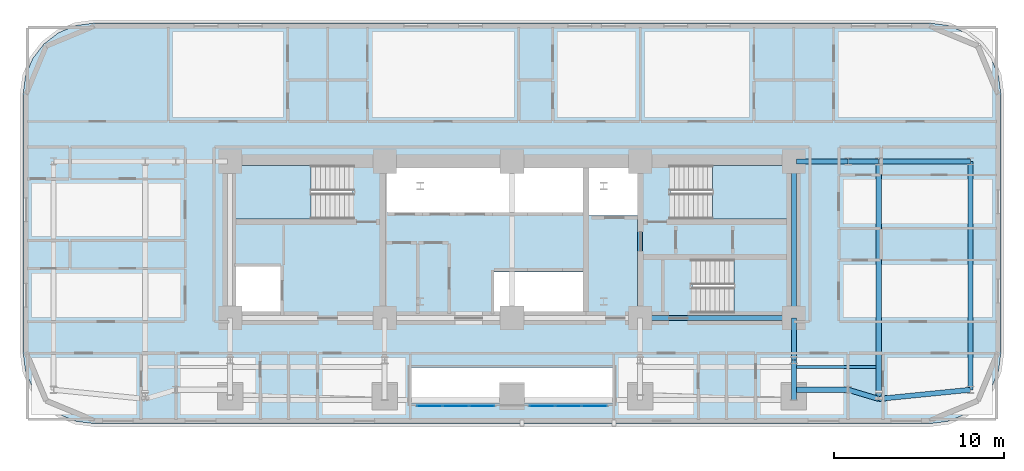
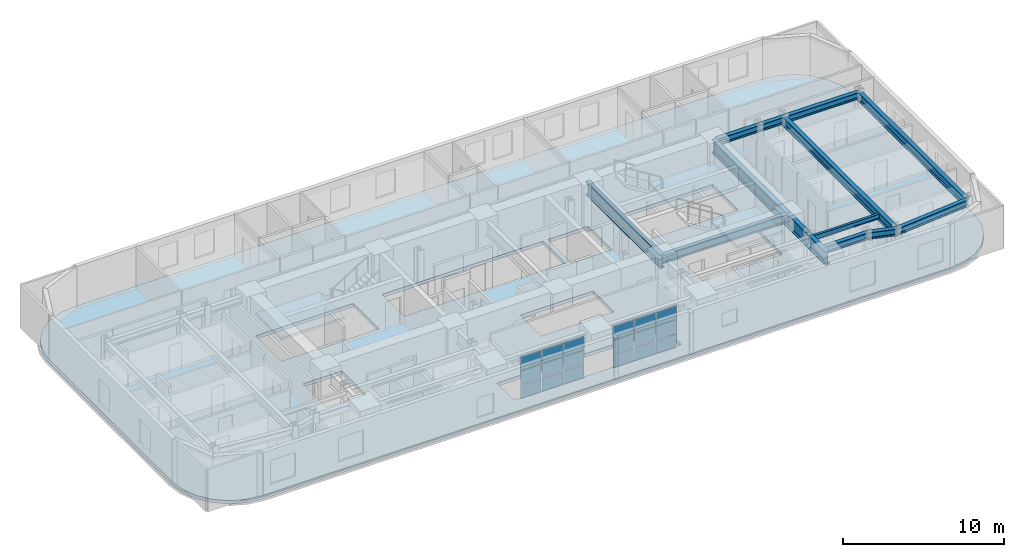
# One storey, part 5 of 16: 18 plates, 14 beams, 4 slabs, 5 elements without a shape of their own.
"""IFC4 building model written with IfcOpenShell, lengths in metres."""

from ifc_helpers import new_model, si_unit, direction, frame, origin, origin_2d, place, context, subcontext, project, spatial, polyline, rectangle, i_section, outline, extrude, material, layer, layer_set, material_profile, profile_set, type_object, element, aggregate, save


model = new_model("IFC4")

# Units and contexts
model_context = context("Model", 3, precision=1e-05, world=origin(), true_north=direction((0.0, 1.0)))
body_context = subcontext(model_context, "Body", "Model", "MODEL_VIEW")
ifc_project = project(units=[si_unit("LENGTHUNIT", "METRE"), si_unit("AREAUNIT", "SQUARE_METRE"), si_unit("VOLUMEUNIT", "CUBIC_METRE"), si_unit("PLANEANGLEUNIT", "RADIAN"), si_unit("MASSUNIT", "GRAM", prefix="KILO")], contexts=[model_context])

# Site, building, storey
site_placement = place(None, origin())
site = spatial("IfcSite", under=ifc_project, at=site_placement, CompositionType="ELEMENT")
building_placement = place(site_placement, origin())
building = spatial("IfcBuilding", under=site, at=building_placement, Name="Zarnavel Station Tower", CompositionType="ELEMENT")
storey_placement = place(building_placement, frame((0.0, 0.0, 32.5)))
storey = spatial("IfcBuildingStorey", under=building, at=storey_placement, Name="L08", CompositionType="ELEMENT", Elevation=32.5)

# Beams
ifc_material_1 = material(Name="Steel S355J2", Category="steel")
ifc_material_profile_1 = material_profile(ifc_material_1, i_section(OverallWidth=0.300048828125, OverallDepth=0.5, WebThickness=0.014404296875, FlangeThickness=0.028076171875, FilletRadius=0.027099609375, at=origin_2d()), Name="HEB500")
ifc_profile_set_1 = profile_set([ifc_material_profile_1], Name="Steel S355J2")
beam_type_1 = type_object("IfcBeamType", Name="FG_HEB500", PredefinedType="USERDEFINED", material=ifc_profile_set_1)
for number, where, z_axis, x_axis, name in (
    (1, (45.544921875, 23.60009765625, 2.989990234375), (1.0, 0.0, 0.0), (0.0, 1.0, 0.0), "L08 East Wing South Tie 1"),
    (2, (45.544921875, 37.050048828125, 2.989990234375), (1.0, 0.0, 0.0), (0.0, 1.0, 0.0), "L08 East Wing North Tie 1"),
):
    element("IfcBeam", number, at=place(storey_placement, frame(where, z_axis=z_axis, x_axis=x_axis)), inside=storey, type_object=beam_type_1, Name=name, ObjectType="GIRDER", PredefinedType="USERDEFINED", context=body_context, shape_type="SweptSolid", body=[
        extrude(i_section(OverallWidth=0.300048828125, OverallDepth=0.5, WebThickness=0.014404296875, FlangeThickness=0.028076171875, FilletRadius=0.027099609375, at=origin_2d()), origin(), (0.0, 0.0, 1.0), 3.05517578125),
    ])
beam_1_placement = place(storey_placement, frame((48.60009765625, 23.60009765625, 2.989990234375), z_axis=(0.957776209456, -0.28751475197, 0.0), x_axis=(0.28751475197, 0.957776209456, 0.0)))
element("IfcBeam", 3, at=beam_1_placement, inside=storey, type_object=beam_type_1, Name="L08 East Wing South Tie 2", ObjectType="GIRDER", PredefinedType="USERDEFINED", context=body_context, shape_type="SweptSolid", body=[
    extrude(i_section(OverallWidth=0.300048828125, OverallDepth=0.5, WebThickness=0.014404296875, FlangeThickness=0.028076171875, FilletRadius=0.027099609375, at=origin_2d()), origin(), (0.0, 0.0, 1.0), 1.879150390625),
])
beam_2_placement = place(storey_placement, frame((48.60009765625, 37.050048828125, 2.989990234375), z_axis=(1.0, 0.0, 0.0), x_axis=(0.0, 1.0, 0.0)))
element("IfcBeam", 4, at=beam_2_placement, inside=storey, type_object=beam_type_1, Name="L08 East Wing North Tie 2", ObjectType="GIRDER", PredefinedType="USERDEFINED", context=body_context, shape_type="SweptSolid", body=[
    extrude(i_section(OverallWidth=0.300048828125, OverallDepth=0.5, WebThickness=0.014404296875, FlangeThickness=0.028076171875, FilletRadius=0.027099609375, at=origin_2d()), origin(), (0.0, 0.0, 1.0), 1.7998046875),
])
beam_3_placement = place(storey_placement, frame((50.39990234375, 23.059814453125, 2.989990234375), z_axis=(0.995032289603, 0.099552712912, 0.0), x_axis=(-0.099552712912, 0.995032289603, 0.0)))
element("IfcBeam", 5, at=beam_3_placement, inside=storey, type_object=beam_type_1, Name="L08 East Wing South Tie 3", ObjectType="GIRDER", PredefinedType="USERDEFINED", context=body_context, shape_type="SweptSolid", body=[
    extrude(i_section(OverallWidth=0.300048828125, OverallDepth=0.5, WebThickness=0.014404296875, FlangeThickness=0.028076171875, FilletRadius=0.027099609375, at=origin_2d()), origin(), (0.0, 0.0, 1.0), 5.427001953125),
])
beam_4_placement = place(storey_placement, frame((50.39990234375, 37.050048828125, 2.989990234375), z_axis=(1.0, 0.0, 0.0), x_axis=(0.0, 1.0, 0.0)))
element("IfcBeam", 6, at=beam_4_placement, inside=storey, type_object=beam_type_1, Name="L08 East Wing North Tie 3", ObjectType="GIRDER", PredefinedType="USERDEFINED", context=body_context, shape_type="SweptSolid", body=[
    extrude(i_section(OverallWidth=0.300048828125, OverallDepth=0.5, WebThickness=0.014404296875, FlangeThickness=0.028076171875, FilletRadius=0.027099609375, at=origin_2d()), origin(), (0.0, 0.0, 1.0), 5.400146484375),
])
ifc_material_2 = material(Name="Steel S355J2", Category="steel")
ifc_material_profile_2 = material_profile(ifc_material_2, i_section(OverallWidth=0.300048828125, OverallDepth=0.60009765625, WebThickness=0.015380859375, FlangeThickness=0.030029296875, FilletRadius=0.027099609375, at=origin_2d()), Name="HEB600")
ifc_profile_set_2 = profile_set([ifc_material_profile_2], Name="Steel S355J2")
beam_type_2 = type_object("IfcBeamType", Name="FG_HEB600", PredefinedType="USERDEFINED", material=ifc_profile_set_2)
beam_5_placement = place(storey_placement, frame((36.35009765625, 27.820068359375, 2.93994140625), z_axis=(1.0, 0.0, 0.0), x_axis=(0.0, 1.0, 0.0)))
element("IfcBeam", 7, at=beam_5_placement, inside=storey, type_object=beam_type_2, Name="L08 Core Front Coupling Beam 4", ObjectType="GIRDER", PredefinedType="USERDEFINED", context=body_context, shape_type="SweptSolid", body=[
    extrude(i_section(OverallWidth=0.300048828125, OverallDepth=0.60009765625, WebThickness=0.015380859375, FlangeThickness=0.030029296875, FilletRadius=0.027099609375, at=origin_2d()), origin(), (0.0, 0.0, 1.0), 9.0498046875),
])
ifc_material_3 = material(Name="Steel S355J2", Category="steel")
ifc_material_profile_3 = material_profile(ifc_material_3, i_section(OverallWidth=0.300048828125, OverallDepth=0.64990234375, WebThickness=0.01611328125, FlangeThickness=0.031005859375, FilletRadius=0.027099609375, at=origin_2d()), Name="HEB650")
ifc_profile_set_3 = profile_set([ifc_material_profile_3], Name="Steel S355J2")
beam_type_3 = type_object("IfcBeamType", Name="FG_HEB650", PredefinedType="USERDEFINED", material=ifc_profile_set_3)
beam_6_placement = place(storey_placement, frame((50.39990234375, 23.059814453125, 2.9150390625), z_axis=(0.0, 1.0, 0.0), x_axis=(-1.0, 0.0, 0.0)))
element("IfcBeam", 8, at=beam_6_placement, inside=storey, type_object=beam_type_3, Name="L08 Wing NS Girder 3", ObjectType="GIRDER", PredefinedType="USERDEFINED", context=body_context, shape_type="SweptSolid", body=[
    extrude(i_section(OverallWidth=0.300048828125, OverallDepth=0.64990234375, WebThickness=0.01611328125, FlangeThickness=0.031005859375, FilletRadius=0.027099609375, at=origin_2d()), origin(), (0.0, 0.0, 1.0), 13.990234375),
])
beam_7_placement = place(storey_placement, frame((55.800048828125, 23.60009765625, 2.9150390625), z_axis=(0.0, 1.0, 0.0), x_axis=(-1.0, 0.0, 0.0)))
element("IfcBeam", 9, at=beam_7_placement, inside=storey, type_object=beam_type_3, Name="L08 Wing NS Girder 4", ObjectType="GIRDER", PredefinedType="USERDEFINED", context=body_context, shape_type="SweptSolid", body=[
    extrude(i_section(OverallWidth=0.300048828125, OverallDepth=0.64990234375, WebThickness=0.01611328125, FlangeThickness=0.031005859375, FilletRadius=0.027099609375, at=origin_2d()), origin(), (0.0, 0.0, 1.0), 13.449951171875),
])
ifc_material_4 = material(Name="Steel S355J2", Category="steel")
ifc_material_profile_4 = material_profile(ifc_material_4, i_section(OverallWidth=0.169921875, OverallDepth=0.360107421875, WebThickness=0.008056640625, FlangeThickness=0.0126953125, FilletRadius=0.01806640625, at=origin_2d()), Name="IPE360")
ifc_profile_set_4 = profile_set([ifc_material_profile_4], Name="Steel S355J2")
beam_type_4 = type_object("IfcBeamType", Name="FJ_IPE360", PredefinedType="JOIST", material=ifc_profile_set_4)
beam_8_placement = place(storey_placement, frame((45.544921875, 24.9462890625, 3.06005859375), z_axis=(1.0, 0.0, 0.0), x_axis=(0.0, 1.0, 0.0)))
element("IfcBeam", 10, at=beam_8_placement, inside=storey, type_object=beam_type_4, Name="L08 East Wing Joist 2", PredefinedType="JOIST", context=body_context, shape_type="SweptSolid", body=[
    extrude(i_section(OverallWidth=0.169921875, OverallDepth=0.360107421875, WebThickness=0.008056640625, FlangeThickness=0.0126953125, FilletRadius=0.01806640625, at=origin_2d()), origin(), (0.0, 0.0, 1.0), 4.7099609375),
])
ifc_material_5 = material(Name="Steel S460M", Category="steel")
ifc_material_profile_5 = material_profile(ifc_material_5, i_section(OverallWidth=0.302001953125, OverallDepth=1.008056640625, WebThickness=0.02099609375, FlangeThickness=0.0400390625, FilletRadius=0.030029296875, at=origin_2d()), Name="HEM1000")
ifc_profile_set_5 = profile_set([ifc_material_profile_5], Name="Steel S460M")
beam_type_5 = type_object("IfcBeamType", Name="TG_HEM1000", PredefinedType="USERDEFINED", material=ifc_profile_set_5)
for number, where, z_axis, x_axis, name in (
    (11, (36.35009765625, 27.820068359375, 2.736083984375), (0.0, 1.0, 0.0), (-1.0, 0.0, 0.0), "L08 Core Spine Coupling Girder 4"),
    (12, (45.39990234375, 27.820068359375, 2.736083984375), (0.0, 1.0, 0.0), (-1.0, 0.0, 0.0), "L08 Core Spine Coupling Girder 5"),
):
    element("IfcBeam", number, at=place(storey_placement, frame(where, z_axis=z_axis, x_axis=x_axis)), inside=storey, type_object=beam_type_5, Name=name, ObjectType="GIRDER", PredefinedType="USERDEFINED", context=body_context, shape_type="SweptSolid", body=[
        extrude(i_section(OverallWidth=0.302001953125, OverallDepth=1.008056640625, WebThickness=0.02099609375, FlangeThickness=0.0400390625, FilletRadius=0.030029296875, at=origin_2d()), origin(), (0.0, 0.0, 1.0), 9.22998046875),
    ])
beam_9_placement = place(storey_placement, frame((45.39990234375, 22.9892578125, 2.736083984375), z_axis=(0.0, 1.0, 0.0), x_axis=(-1.0, 0.0, 0.0)))
element("IfcBeam", 13, at=beam_9_placement, inside=storey, type_object=beam_type_5, Name="L08 South-Zone NS Girder 5", ObjectType="GIRDER", PredefinedType="USERDEFINED", context=body_context, shape_type="SweptSolid", body=[
    extrude(i_section(OverallWidth=0.302001953125, OverallDepth=1.008056640625, WebThickness=0.02099609375, FlangeThickness=0.0400390625, FilletRadius=0.030029296875, at=origin_2d()), origin(), (0.0, 0.0, 1.0), 2.36083984375),
])
beam_10_placement = place(storey_placement, frame((45.39990234375, 25.35009765625, 2.736083984375), z_axis=(0.0, 1.0, 0.0), x_axis=(-1.0, 0.0, 0.0)))
element("IfcBeam", 14, at=beam_10_placement, inside=storey, type_object=beam_type_5, Name="L08 Inner-Zone NS Girder 5", ObjectType="GIRDER", PredefinedType="USERDEFINED", context=body_context, shape_type="SweptSolid", body=[
    extrude(i_section(OverallWidth=0.302001953125, OverallDepth=1.008056640625, WebThickness=0.02099609375, FlangeThickness=0.0400390625, FilletRadius=0.030029296875, at=origin_2d()), origin(), (0.0, 0.0, 1.0), 2.469970703125),
])

# Curtain wall, plates
ifc_material_6 = material(Name="Aluminium Dark Anodised and Solar-Control Glass", Category="aluminium")
ifc_layer_1 = layer(ifc_material_6, 0.179931640625)
ifc_layer_set_1 = layer_set([ifc_layer_1], Name="CWS2")
curtain_wall_type = type_object("IfcCurtainWallType", Name="CWS2", PredefinedType="NOTDEFINED", material=ifc_layer_set_1)
curtain_wall_1_placement = place(storey_placement, origin())
curtain_wall_1 = element("IfcCurtainWall", 15, at=curtain_wall_1_placement, inside=storey, type_object=curtain_wall_type, Name="L08 Curtain Wall CWS2-L08-AS-S1", PredefinedType="NOTDEFINED")
ifc_material_7 = material(Name="Double Low-E Dark Solar-Control Glass", Category="glass")
ifc_layer_2 = layer(ifc_material_7, 0.028076171875)
ifc_layer_set_2 = layer_set([ifc_layer_2], Name="CWS2_PNL")
plate_type = type_object("IfcPlateType", Name="CWS2_PNL", PredefinedType="CURTAIN_PANEL", material=ifc_layer_set_2)
plate_1_placement = place(storey_placement, frame((23.943359375, 22.64990234375, 0.06005859375), z_axis=(0.0, 0.0, 1.0), x_axis=(1.0, 0.0, 0.0)))
plate_1 = element("IfcPlate", 16, at=plate_1_placement, type_object=plate_type, Name="CW2 panel 1.1", PredefinedType="CURTAIN_PANEL", context=body_context, shape_type="SweptSolid", body=[
    extrude(rectangle(XDim=1.466552734375, YDim=0.028076171875, at=origin_2d()), origin(), (0.0, 0.0, 1.0), 0.989990234375),
])
plate_2_placement = place(storey_placement, frame((23.943359375, 22.64990234375, 1.110107421875), z_axis=(0.0, 0.0, 1.0), x_axis=(1.0, 0.0, 0.0)))
plate_2 = element("IfcPlate", 17, at=plate_2_placement, type_object=plate_type, Name="CW2 panel 1.2", PredefinedType="CURTAIN_PANEL", context=body_context, shape_type="SweptSolid", body=[
    extrude(rectangle(XDim=1.466552734375, YDim=0.028076171875, at=origin_2d()), origin(), (0.0, 0.0, 1.0), 1.02001953125),
])
plate_3_placement = place(storey_placement, frame((23.943359375, 22.64990234375, 2.18994140625), z_axis=(0.0, 0.0, 1.0), x_axis=(1.0, 0.0, 0.0)))
plate_3 = element("IfcPlate", 18, at=plate_3_placement, type_object=plate_type, Name="CW2 panel 1.3", PredefinedType="CURTAIN_PANEL", context=body_context, shape_type="SweptSolid", body=[
    extrude(rectangle(XDim=1.466552734375, YDim=0.028076171875, at=origin_2d()), origin(), (0.0, 0.0, 1.0), 0.989990234375),
])
plate_4_placement = place(storey_placement, frame((25.485107421875, 22.64990234375, 0.06005859375), z_axis=(0.0, 0.0, 1.0), x_axis=(1.0, 0.0, 0.0)))
plate_4 = element("IfcPlate", 19, at=plate_4_placement, type_object=plate_type, Name="CW2 panel 2.1", PredefinedType="CURTAIN_PANEL", context=body_context, shape_type="SweptSolid", body=[
    extrude(rectangle(XDim=1.49658203125, YDim=0.028076171875, at=origin_2d()), origin(), (0.0, 0.0, 1.0), 0.989990234375),
])
plate_5_placement = place(storey_placement, frame((25.485107421875, 22.64990234375, 1.110107421875), z_axis=(0.0, 0.0, 1.0), x_axis=(1.0, 0.0, 0.0)))
plate_5 = element("IfcPlate", 20, at=plate_5_placement, type_object=plate_type, Name="CW2 panel 2.2", PredefinedType="CURTAIN_PANEL", context=body_context, shape_type="SweptSolid", body=[
    extrude(rectangle(XDim=1.49658203125, YDim=0.028076171875, at=origin_2d()), origin(), (0.0, 0.0, 1.0), 1.02001953125),
])
plate_6_placement = place(storey_placement, frame((25.485107421875, 22.64990234375, 2.18994140625), z_axis=(0.0, 0.0, 1.0), x_axis=(1.0, 0.0, 0.0)))
plate_6 = element("IfcPlate", 21, at=plate_6_placement, type_object=plate_type, Name="CW2 panel 2.3", PredefinedType="CURTAIN_PANEL", context=body_context, shape_type="SweptSolid", body=[
    extrude(rectangle(XDim=1.49658203125, YDim=0.028076171875, at=origin_2d()), origin(), (0.0, 0.0, 1.0), 0.989990234375),
])
plate_7_placement = place(storey_placement, frame((27.026611328125, 22.64990234375, 0.06005859375), z_axis=(0.0, 0.0, 1.0), x_axis=(1.0, 0.0, 0.0)))
plate_7 = element("IfcPlate", 22, at=plate_7_placement, type_object=plate_type, Name="CW2 panel 3.1", PredefinedType="CURTAIN_PANEL", context=body_context, shape_type="SweptSolid", body=[
    extrude(rectangle(XDim=1.466552734375, YDim=0.028076171875, at=origin_2d()), origin(), (0.0, 0.0, 1.0), 0.989990234375),
])
plate_8_placement = place(storey_placement, frame((27.026611328125, 22.64990234375, 1.110107421875), z_axis=(0.0, 0.0, 1.0), x_axis=(1.0, 0.0, 0.0)))
plate_8 = element("IfcPlate", 23, at=plate_8_placement, type_object=plate_type, Name="CW2 panel 3.2", PredefinedType="CURTAIN_PANEL", context=body_context, shape_type="SweptSolid", body=[
    extrude(rectangle(XDim=1.466552734375, YDim=0.028076171875, at=origin_2d()), origin(), (0.0, 0.0, 1.0), 1.02001953125),
])
plate_9_placement = place(storey_placement, frame((27.026611328125, 22.64990234375, 2.18994140625), z_axis=(0.0, 0.0, 1.0), x_axis=(1.0, 0.0, 0.0)))
plate_9 = element("IfcPlate", 24, at=plate_9_placement, type_object=plate_type, Name="CW2 panel 3.3", PredefinedType="CURTAIN_PANEL", context=body_context, shape_type="SweptSolid", body=[
    extrude(rectangle(XDim=1.466552734375, YDim=0.028076171875, at=origin_2d()), origin(), (0.0, 0.0, 1.0), 0.989990234375),
])
aggregate(curtain_wall_1, [plate_1, plate_2, plate_3, plate_4, plate_5, plate_6, plate_7, plate_8, plate_9])

curtain_wall_2_placement = place(storey_placement, origin())
curtain_wall_2 = element("IfcCurtainWall", 25, at=curtain_wall_2_placement, inside=storey, type_object=curtain_wall_type, Name="L08 Curtain Wall CWS2-L08-AS-S2", PredefinedType="NOTDEFINED")
plate_10_placement = place(storey_placement, frame((30.5732421875, 22.64990234375, 0.06005859375), z_axis=(0.0, 0.0, 1.0), x_axis=(1.0, 0.0, 0.0)))
plate_10 = element("IfcPlate", 26, at=plate_10_placement, type_object=plate_type, Name="CW2 panel 1.1", PredefinedType="CURTAIN_PANEL", context=body_context, shape_type="SweptSolid", body=[
    extrude(rectangle(XDim=1.466552734375, YDim=0.028076171875, at=origin_2d()), origin(), (0.0, 0.0, 1.0), 0.989990234375),
])
plate_11_placement = place(storey_placement, frame((30.5732421875, 22.64990234375, 1.110107421875), z_axis=(0.0, 0.0, 1.0), x_axis=(1.0, 0.0, 0.0)))
plate_11 = element("IfcPlate", 27, at=plate_11_placement, type_object=plate_type, Name="CW2 panel 1.2", PredefinedType="CURTAIN_PANEL", context=body_context, shape_type="SweptSolid", body=[
    extrude(rectangle(XDim=1.466552734375, YDim=0.028076171875, at=origin_2d()), origin(), (0.0, 0.0, 1.0), 1.02001953125),
])
plate_12_placement = place(storey_placement, frame((30.5732421875, 22.64990234375, 2.18994140625), z_axis=(0.0, 0.0, 1.0), x_axis=(1.0, 0.0, 0.0)))
plate_12 = element("IfcPlate", 28, at=plate_12_placement, type_object=plate_type, Name="CW2 panel 1.3", PredefinedType="CURTAIN_PANEL", context=body_context, shape_type="SweptSolid", body=[
    extrude(rectangle(XDim=1.466552734375, YDim=0.028076171875, at=origin_2d()), origin(), (0.0, 0.0, 1.0), 0.989990234375),
])
plate_13_placement = place(storey_placement, frame((32.114990234375, 22.64990234375, 0.06005859375), z_axis=(0.0, 0.0, 1.0), x_axis=(1.0, 0.0, 0.0)))
plate_13 = element("IfcPlate", 29, at=plate_13_placement, type_object=plate_type, Name="CW2 panel 2.1", PredefinedType="CURTAIN_PANEL", context=body_context, shape_type="SweptSolid", body=[
    extrude(rectangle(XDim=1.49658203125, YDim=0.028076171875, at=origin_2d()), origin(), (0.0, 0.0, 1.0), 0.989990234375),
])
plate_14_placement = place(storey_placement, frame((32.114990234375, 22.64990234375, 1.110107421875), z_axis=(0.0, 0.0, 1.0), x_axis=(1.0, 0.0, 0.0)))
plate_14 = element("IfcPlate", 30, at=plate_14_placement, type_object=plate_type, Name="CW2 panel 2.2", PredefinedType="CURTAIN_PANEL", context=body_context, shape_type="SweptSolid", body=[
    extrude(rectangle(XDim=1.49658203125, YDim=0.028076171875, at=origin_2d()), origin(), (0.0, 0.0, 1.0), 1.02001953125),
])
plate_15_placement = place(storey_placement, frame((32.114990234375, 22.64990234375, 2.18994140625), z_axis=(0.0, 0.0, 1.0), x_axis=(1.0, 0.0, 0.0)))
plate_15 = element("IfcPlate", 31, at=plate_15_placement, type_object=plate_type, Name="CW2 panel 2.3", PredefinedType="CURTAIN_PANEL", context=body_context, shape_type="SweptSolid", body=[
    extrude(rectangle(XDim=1.49658203125, YDim=0.028076171875, at=origin_2d()), origin(), (0.0, 0.0, 1.0), 0.989990234375),
])
plate_16_placement = place(storey_placement, frame((33.65673828125, 22.64990234375, 0.06005859375), z_axis=(0.0, 0.0, 1.0), x_axis=(1.0, 0.0, 0.0)))
plate_16 = element("IfcPlate", 32, at=plate_16_placement, type_object=plate_type, Name="CW2 panel 3.1", PredefinedType="CURTAIN_PANEL", context=body_context, shape_type="SweptSolid", body=[
    extrude(rectangle(XDim=1.466552734375, YDim=0.028076171875, at=origin_2d()), origin(), (0.0, 0.0, 1.0), 0.989990234375),
])
plate_17_placement = place(storey_placement, frame((33.65673828125, 22.64990234375, 1.110107421875), z_axis=(0.0, 0.0, 1.0), x_axis=(1.0, 0.0, 0.0)))
plate_17 = element("IfcPlate", 33, at=plate_17_placement, type_object=plate_type, Name="CW2 panel 3.2", PredefinedType="CURTAIN_PANEL", context=body_context, shape_type="SweptSolid", body=[
    extrude(rectangle(XDim=1.466552734375, YDim=0.028076171875, at=origin_2d()), origin(), (0.0, 0.0, 1.0), 1.02001953125),
])
plate_18_placement = place(storey_placement, frame((33.65673828125, 22.64990234375, 2.18994140625), z_axis=(0.0, 0.0, 1.0), x_axis=(1.0, 0.0, 0.0)))
plate_18 = element("IfcPlate", 34, at=plate_18_placement, type_object=plate_type, Name="CW2 panel 3.3", PredefinedType="CURTAIN_PANEL", context=body_context, shape_type="SweptSolid", body=[
    extrude(rectangle(XDim=1.466552734375, YDim=0.028076171875, at=origin_2d()), origin(), (0.0, 0.0, 1.0), 0.989990234375),
])
aggregate(curtain_wall_2, [plate_10, plate_11, plate_12, plate_13, plate_14, plate_15, plate_16, plate_17, plate_18])

# Slab
ifc_material_8 = material(Name="Concrete C45/55", Category="concrete")
ifc_layer_3 = layer(ifc_material_8, 0.260009765625)
ifc_layer_set_3 = layer_set([ifc_layer_3], Name="SL_FLR_260")
slab_type_1 = type_object("IfcSlabType", Name="SL_FLR_260", PredefinedType="FLOOR", material=ifc_layer_set_3)
slab_1_placement = place(storey_placement, frame((0.0, 0.0, -0.260009765625)))
element("IfcSlab", 35, at=slab_1_placement, inside=storey, type_object=slab_type_1, Name="L08 Structural Floor Slab", PredefinedType="FLOOR", context=body_context, shape_type="SweptSolid", body=[
    extrude(outline(polyline([(53.39990234375, 21.60009765625), (54.487060546875, 21.7431640625), (55.5, 22.16259765625), (56.369873046875, 22.830078125), (57.037353515625, 23.699951171875), (57.456787109375, 24.712890625), (57.60009765625, 25.800048828125), (57.60009765625, 41.0), (57.456787109375, 42.0869140625), (57.037353515625, 43.10009765625), (56.369873046875, 43.9697265625), (55.5, 44.63720703125), (54.487060546875, 45.056884765625), (53.39990234375, 45.199951171875), (4.199951171875, 45.199951171875), (3.113037109375, 45.056884765625), (2.10009765625, 44.63720703125), (1.230224609375, 43.9697265625), (0.562744140625, 43.10009765625), (0.14306640625, 42.0869140625), (0.0, 41.0), (0.0, 25.800048828125), (0.14306640625, 24.712890625), (0.562744140625, 23.699951171875), (1.230224609375, 22.830078125), (2.10009765625, 22.16259765625), (3.113037109375, 21.7431640625), (4.199951171875, 21.60009765625), (53.39990234375, 21.60009765625)]), holes=[polyline([(12.39990234375, 33.659912109375), (19.409912109375, 33.659912109375), (19.409912109375, 36.820068359375), (12.39990234375, 36.820068359375), (12.39990234375, 33.659912109375)]), polyline([(38.14990234375, 33.659912109375), (45.159912109375, 33.659912109375), (45.159912109375, 36.820068359375), (38.14990234375, 36.820068359375), (38.14990234375, 33.659912109375)]), polyline([(39.419921875, 28.1201171875), (45.14990234375, 28.1201171875), (45.14990234375, 31.280029296875), (39.419921875, 31.280029296875), (39.419921875, 28.1201171875)]), polyline([(12.35009765625, 27.949951171875), (15.14990234375, 27.949951171875), (15.14990234375, 30.85009765625), (12.35009765625, 30.85009765625), (12.35009765625, 27.949951171875)]), polyline([(33.320068359375, 33.85009765625), (36.2099609375, 33.85009765625), (36.2099609375, 36.780029296875), (33.320068359375, 36.780029296875), (33.320068359375, 33.85009765625)]), polyline([(21.449951171875, 34.050048828125), (32.97998046875, 34.050048828125), (32.97998046875, 36.780029296875), (21.449951171875, 36.780029296875), (21.449951171875, 34.050048828125)]), polyline([(27.75, 27.949951171875), (32.97998046875, 27.949951171875), (32.97998046875, 30.550048828125), (27.75, 30.550048828125), (27.75, 27.949951171875)]), polyline([(22.800048828125, 22.800048828125), (34.800048828125, 22.800048828125), (34.800048828125, 24.89990234375), (22.800048828125, 24.89990234375), (22.800048828125, 22.800048828125)])]), origin(), (0.0, 0.0, 1.0), 0.260009765625),
])

# Stair, slab
ifc_material_9 = material(Name="Concrete C45/55", Category="concrete")
stair_type = type_object("IfcStairType", Name="ST_CORE_150", PredefinedType="HALF_TURN_STAIR", material=ifc_material_9)
stair_1_placement = place(storey_placement, origin())
stair_1 = element("IfcStair", 36, at=stair_1_placement, inside=storey, type_object=stair_type, Name="L08 Core Exit Stair ST1", PredefinedType="HALF_TURN_STAIR")
ifc_material_10 = material(Name="Concrete C45/55", Category="concrete")
ifc_layer_4 = layer(ifc_material_10, 0.199951171875)
ifc_layer_set_4 = layer_set([ifc_layer_4], Name="SL_STAIR_LAND_200")
slab_type_2 = type_object("IfcSlabType", Name="SL_STAIR_LAND_200", PredefinedType="LANDING", material=ifc_layer_set_4)
slab_2_placement = place(storey_placement, frame((0.0, 0.0, 1.550048828125)))
slab_2 = element("IfcSlab", 37, at=slab_2_placement, type_object=slab_type_2, Name="ST1 landing 1", PredefinedType="LANDING", context=body_context, shape_type="SweptSolid", body=[
    extrude(outline(polyline([(16.9599609375, 36.820068359375), (12.39990234375, 36.820068359375), (12.39990234375, 33.659912109375), (16.9599609375, 33.659912109375), (16.9599609375, 36.820068359375)])), origin(), (0.0, 0.0, 1.0), 0.199951171875),
])
aggregate(stair_1, [slab_2])

stair_2_placement = place(storey_placement, origin())
stair_2 = element("IfcStair", 38, at=stair_2_placement, inside=storey, type_object=stair_type, Name="L08 Core Exit Stair ST2", PredefinedType="HALF_TURN_STAIR")
slab_3_placement = place(storey_placement, frame((0.0, 0.0, 1.550048828125)))
slab_3 = element("IfcSlab", 39, at=slab_3_placement, type_object=slab_type_2, Name="ST2 landing 1", PredefinedType="LANDING", context=body_context, shape_type="SweptSolid", body=[
    extrude(outline(polyline([(40.60009765625, 33.659912109375), (45.159912109375, 33.659912109375), (45.159912109375, 36.820068359375), (40.60009765625, 36.820068359375), (40.60009765625, 33.659912109375)])), origin(), (0.0, 0.0, 1.0), 0.199951171875),
])
aggregate(stair_2, [slab_3])

stair_3_placement = place(storey_placement, origin())
stair_3 = element("IfcStair", 40, at=stair_3_placement, inside=storey, type_object=stair_type, Name="L08 Core Exit Stair ST3", PredefinedType="HALF_TURN_STAIR")
slab_4_placement = place(storey_placement, frame((0.0, 0.0, 1.550048828125)))
slab_4 = element("IfcSlab", 41, at=slab_4_placement, type_object=slab_type_2, Name="ST3 landing 1", PredefinedType="LANDING", context=body_context, shape_type="SweptSolid", body=[
    extrude(outline(polyline([(41.8701171875, 28.1201171875), (45.14990234375, 28.1201171875), (45.14990234375, 31.280029296875), (41.8701171875, 31.280029296875), (41.8701171875, 28.1201171875)])), origin(), (0.0, 0.0, 1.0), 0.199951171875),
])
aggregate(stair_3, [slab_4])

save(model, "model.ifc")
